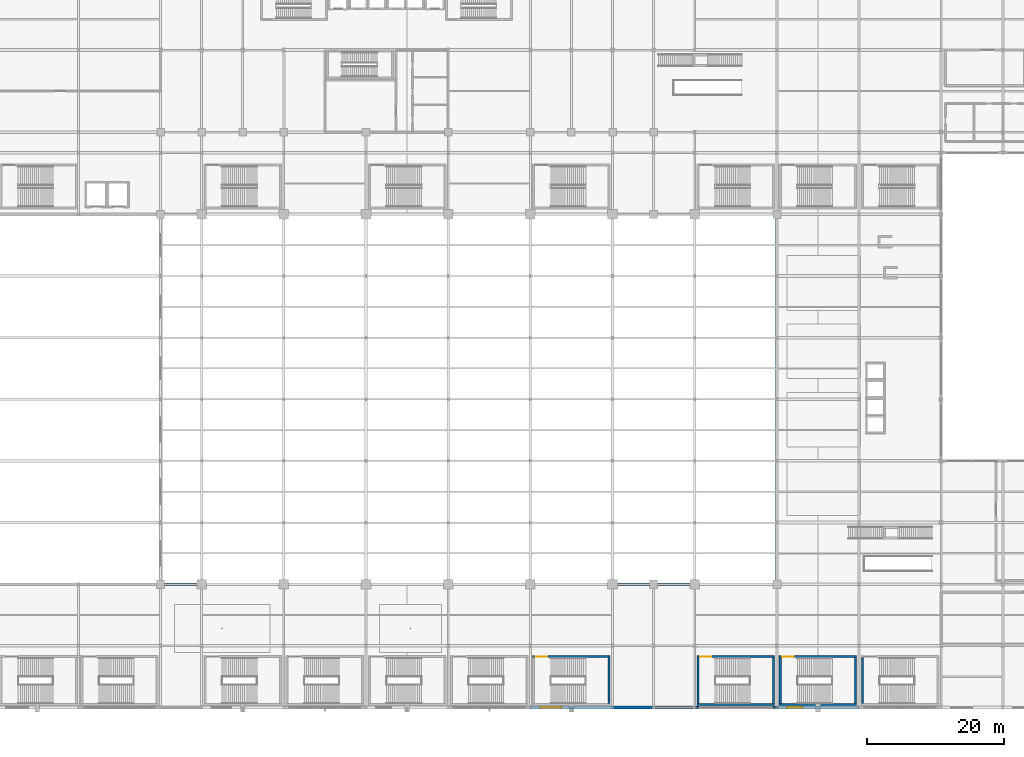
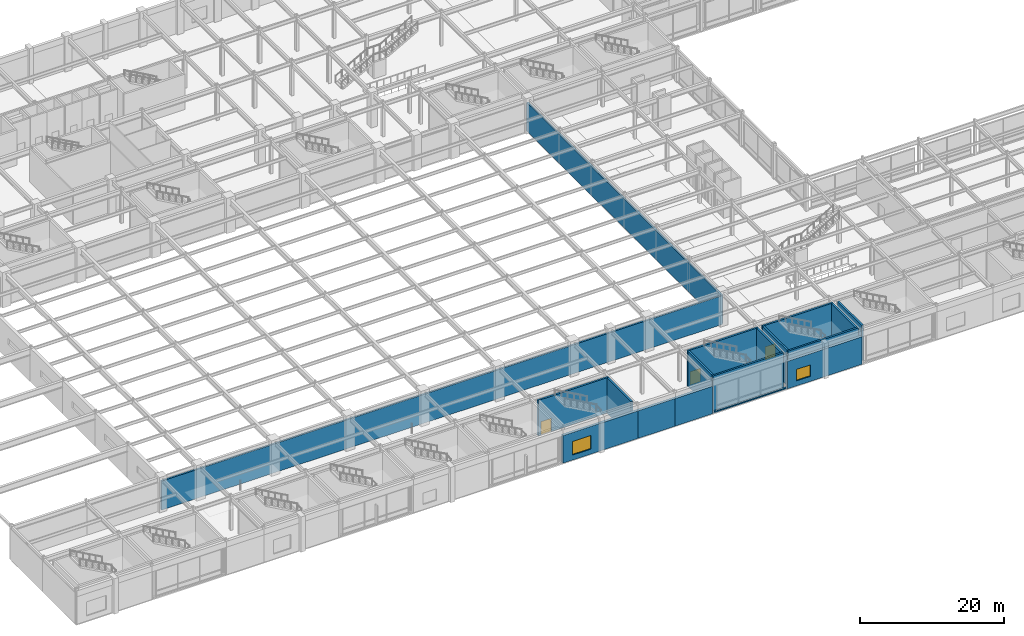
# One storey, part 84 of 105: 18 walls, 3 doors, 2 windows, 5 openings.
"""IFC4 building model written with IfcOpenShell, lengths in metres."""

from ifc_helpers import new_model, si_unit, direction, frame, frame_2d, origin, place, context, subcontext, project, spatial, rectangle, extrude, material, layer, layer_set, type_object, element, fill, save


model = new_model("IFC4")

# Units and contexts
model_context = context("Model", 3, precision=1e-05, world=origin(), true_north=direction((0.0, 1.0)))
body_context = subcontext(model_context, "Body", "Model", "MODEL_VIEW")
ifc_project = project(units=[si_unit("LENGTHUNIT", "METRE"), si_unit("AREAUNIT", "SQUARE_METRE"), si_unit("VOLUMEUNIT", "CUBIC_METRE"), si_unit("PLANEANGLEUNIT", "RADIAN"), si_unit("MASSUNIT", "GRAM", prefix="KILO")], contexts=[model_context])

# Site, building, storey
site_placement = place(None, origin())
site = spatial("IfcSite", under=ifc_project, at=site_placement, CompositionType="ELEMENT")
building_placement = place(site_placement, origin())
building = spatial("IfcBuilding", under=site, at=building_placement, Name="Kaldorvane Square Convention Centre", CompositionType="ELEMENT")
storey_placement = place(building_placement, frame((0.0, 0.0, 6.0)))
storey = spatial("IfcBuildingStorey", under=building, at=storey_placement, Name="L01", CompositionType="ELEMENT", Elevation=6.0)

# Walls
ifc_material_1 = material(Name="Reinforced Concrete Masonry Acoustic Partition", Category="masonry")
ifc_layer_1 = layer(ifc_material_1, 0.279998779296875)
ifc_layer_set_1 = layer_set([ifc_layer_1], Name="Reinforced Concrete Masonry Acoustic Partition")
wall_type_1 = type_object("IfcWallType", Name="WL-ACO-280", PredefinedType="PARTITIONING", material=ifc_layer_set_1)
wall_1_placement = place(storey_placement, frame((24.0, 18.0, 0.0), z_axis=(0.0, 0.0, 1.0), x_axis=(1.0, 0.0, 0.0)))
element("IfcWall", 1, at=wall_1_placement, inside=storey, type_object=wall_type_1, Name="Exhibition Hall Upper Enclosure S (L01)", PredefinedType="PARTITIONING", context=body_context, shape_type="SweptSolid", body=[
    extrude(rectangle(XDim=90.0, YDim=0.279998779296875, at=frame_2d((45.0, 0.0))), origin(), (0.0, 0.0, 1.0), 4.9019927978515625),
])
wall_2_placement = place(storey_placement, frame((114.0, 18.0, 0.0), z_axis=(0.0, 0.0, 1.0), x_axis=(0.0, 1.0, 0.0)))
element("IfcWall", 2, at=wall_2_placement, inside=storey, type_object=wall_type_1, Name="Exhibition Hall Upper Enclosure E (L01)", PredefinedType="PARTITIONING", context=body_context, shape_type="SweptSolid", body=[
    extrude(rectangle(XDim=54.0, YDim=0.279998779296875, at=frame_2d((27.0, 0.0))), origin(), (0.0, 0.0, 1.0), 4.912994384765625),
])

# Wall, opening, window
ifc_material_2 = material(Name="Concrete f'c = 42 MPa (Normalweight)", Category="concrete")
ifc_layer_2 = layer(ifc_material_2, 0.410003662109375)
ifc_layer_set_2 = layer_set([ifc_layer_2], Name="Concrete f'c = 42 MPa (Normalweight)")
wall_type_2 = type_object("IfcWallType", Name="WL-EXT-410", PredefinedType="STANDARD", material=ifc_layer_set_2)
wall_3_placement = place(storey_placement, frame((78.0, 0.0, 0.0), z_axis=(0.0, 0.0, 1.0), x_axis=(1.0, 0.0, 0.0)))
wall_3 = element("IfcWall", 3, at=wall_3_placement, inside=storey, type_object=wall_type_2, Name="South Square Brutalist Facade Wall (L01)", PredefinedType="STANDARD", context=body_context, shape_type="SweptSolid", body=[
    extrude(rectangle(XDim=12.0, YDim=0.410003662109375, at=frame_2d((6.0, 0.0))), origin(), (0.0, 0.0, 1.0), 4.675994873046875),
])
opening_1_placement = place(wall_3_placement, frame((1.5, 0.0, 0.850006103515625)))
opening_1 = element("IfcOpeningElement", 4, at=opening_1_placement, cuts=wall_3, Name="Opening W-16", PredefinedType="OPENING", context=body_context, shape_type="SweptSolid", body=[
    extrude(rectangle(XDim=3.0, YDim=2.3000030517578125, at=frame_2d((1.5, 1.149993896484375))), frame((0.0, 0.220001220703125, 0.0), z_axis=(0.0, -1.0, 0.0), x_axis=(1.0, 0.0, 0.0)), (0.0, 0.0, 1.0), 0.44000244140625),
])
ifc_material_3 = material(Name="Anodized Aluminum and Low-E Insulated Glazing", Category="aluminium")
window_type_1 = type_object("IfcWindowType", Name="WN-POD-3000X2300", PartitioningType="TRIPLE_PANEL_VERTICAL", PredefinedType="WINDOW", material=ifc_material_3)
window_1_placement = place(opening_1_placement, origin())
window_1 = element("IfcWindow", 5, at=window_1_placement, inside=storey, type_object=window_type_1, Name="South Facade Window (L01)", OverallHeight=2.3000030517578125, OverallWidth=3.0, PartitioningType="TRIPLE_PANEL_VERTICAL", PredefinedType="WINDOW", context=body_context, shape_type="SweptSolid", body=[
    extrude(rectangle(XDim=3.0, YDim=2.3000030517578125, at=frame_2d((1.5, 1.149993896484375))), frame((0.0, 0.029998779296875, 0.0), z_axis=(0.0, -1.0, 0.0), x_axis=(1.0, 0.0, 0.0)), (0.0, 0.0, 1.0), 0.05999755859375),
])
fill(opening_1, window_1)

# Walls
for number, where, z_axis, x_axis, name in (
    (6, (90.0, 0.0, 0.0), (0.0, 0.0, 1.0), (1.0, 0.0, 0.0), "South Square Brutalist Facade Wall (L01)"),
    (7, (96.0, 0.0, 0.0), (0.0, 0.0, 1.0), (1.0, 0.0, 0.0), "South Square Brutalist Facade Wall (L01)"),
):
    element("IfcWall", number, at=place(storey_placement, frame(where, z_axis=z_axis, x_axis=x_axis)), inside=storey, type_object=wall_type_2, Name=name, PredefinedType="STANDARD", context=body_context, shape_type="SweptSolid", body=[
        extrude(rectangle(XDim=6.0, YDim=0.410003662109375, at=frame_2d((3.0, 0.0))), origin(), (0.0, 0.0, 1.0), 4.675994873046875),
    ])

# Wall, opening, window
wall_4_placement = place(storey_placement, frame((114.0, 0.0, 0.0), z_axis=(0.0, 0.0, 1.0), x_axis=(1.0, 0.0, 0.0)))
wall_4 = element("IfcWall", 8, at=wall_4_placement, inside=storey, type_object=wall_type_2, Name="South Square Brutalist Facade Wall (L01)", PredefinedType="STANDARD", context=body_context, shape_type="SweptSolid", body=[
    extrude(rectangle(XDim=12.0, YDim=0.410003662109375, at=frame_2d((6.0, 0.0))), origin(), (0.0, 0.0, 1.0), 4.675994873046875),
])
opening_2_placement = place(wall_4_placement, frame((1.5, 0.0, 0.850006103515625)))
opening_2 = element("IfcOpeningElement", 9, at=opening_2_placement, cuts=wall_4, Name="Opening W-20", PredefinedType="OPENING", context=body_context, shape_type="SweptSolid", body=[
    extrude(rectangle(XDim=2.1999969482421875, YDim=1.9499969482421875, at=frame_2d((1.100006103515625, 0.975006103515625))), frame((0.0, 0.220001220703125, 0.0), z_axis=(0.0, -1.0, 0.0), x_axis=(1.0, 0.0, 0.0)), (0.0, 0.0, 1.0), 0.44000244140625),
])
window_type_2 = type_object("IfcWindowType", Name="WN-POD-2200X1950", PartitioningType="DOUBLE_PANEL_VERTICAL", PredefinedType="WINDOW", material=ifc_material_3)
window_2_placement = place(opening_2_placement, origin())
window_2 = element("IfcWindow", 10, at=window_2_placement, inside=storey, type_object=window_type_2, Name="South Facade Window (L01)", OverallHeight=1.9499969482421875, OverallWidth=2.1999969482421875, PartitioningType="DOUBLE_PANEL_VERTICAL", PredefinedType="WINDOW", context=body_context, shape_type="SweptSolid", body=[
    extrude(rectangle(XDim=2.1999969482421875, YDim=1.9499969482421875, at=frame_2d((1.100006103515625, 0.975006103515625))), frame((0.0, 0.029998779296875, 0.0), z_axis=(0.0, -1.0, 0.0), x_axis=(1.0, 0.0, 0.0)), (0.0, 0.0, 1.0), 0.05999755859375),
])
fill(opening_2, window_2)

# Wall
ifc_material_4 = material(Name="Concrete f'c = 35 MPa (Normalweight)", Category="concrete")
ifc_layer_3 = layer(ifc_material_4, 0.279998779296875)
ifc_layer_set_3 = layer_set([ifc_layer_3], Name="Concrete f'c = 35 MPa (Normalweight)")
wall_type_3 = type_object("IfcWallType", Name="WL-PAR-280", PredefinedType="PARAPET", material=ifc_layer_set_3)
wall_5_placement = place(storey_placement, frame((102.0, 0.0, 0.0), z_axis=(0.0, 0.0, 1.0), x_axis=(1.0, 0.0, 0.0)))
element("IfcWall", 11, at=wall_5_placement, inside=storey, type_object=wall_type_3, Name="Curtain-Wall Sill Kerb (L01)", PredefinedType="PARAPET", context=body_context, shape_type="SweptSolid", body=[
    extrude(rectangle(XDim=12.0, YDim=0.279998779296875, at=frame_2d((6.0, 0.0))), origin(), (0.0, 0.0, 1.0), 0.1999969482421875),
])

# Wall, opening, door
ifc_material_5 = material(Name="Concrete f'c = 55 MPa (Normalweight)", Category="concrete")
ifc_layer_4 = layer(ifc_material_5, 0.3000030517578125)
ifc_layer_set_4 = layer_set([ifc_layer_4], Name="Concrete f'c = 55 MPa (Normalweight)")
wall_type_4 = type_object("IfcWallType", Name="WL-SHAFT-300", PredefinedType="SHEAR", material=ifc_layer_set_4)
wall_6_placement = place(storey_placement, frame((89.66000366210938, 7.410003662109375, 0.0), z_axis=(0.0, 0.0, 1.0), x_axis=(-1.0, 0.0, 0.0)))
wall_6 = element("IfcWall", 12, at=wall_6_placement, inside=storey, type_object=wall_type_4, Name="Core Enclosure Wall stair:ST-C7-N (L01)", PredefinedType="SHEAR", context=body_context, shape_type="SweptSolid", body=[
    extrude(rectangle(XDim=11.32000732421875, YDim=0.3000030517578125, at=frame_2d((5.660003662109375, 0.0))), origin(), (0.0, 0.0, 1.0), 6.0),
])
opening_3_placement = place(wall_6_placement, frame((9.220001220703125, 0.0, 0.0)))
opening_3 = element("IfcOpeningElement", 13, at=opening_3_placement, cuts=wall_6, Name="Opening FD90-S2", PredefinedType="OPENING", context=body_context, shape_type="SweptSolid", body=[
    extrude(rectangle(XDim=1.649993896484375, YDim=2.25, at=frame_2d((0.8249969482421875, 1.125))), frame((0.0, 0.165008544921875, 0.0), z_axis=(0.0, -1.0, 0.0), x_axis=(1.0, 0.0, 0.0)), (0.0, 0.0, 1.0), 0.3300018310546875),
])
ifc_material_6 = material(Name="Fire-Rated Hollow Metal Steel", Category="steel")
door_type = type_object("IfcDoorType", Name="DR-STAIR-1650", OperationType="DOUBLE_DOOR_SINGLE_SWING", PredefinedType="DOOR", material=ifc_material_6)
door_1_placement = place(opening_3_placement, origin())
door_1 = element("IfcDoor", 14, at=door_1_placement, inside=storey, type_object=door_type, Name="Convention Exit Stair C7 Fire Door (L01)", OperationType="DOUBLE_DOOR_SINGLE_SWING", OverallHeight=2.25, OverallWidth=1.649993896484375, PredefinedType="DOOR", context=body_context, shape_type="SweptSolid", body=[
    extrude(rectangle(XDim=1.649993896484375, YDim=2.25, at=frame_2d((0.8249969482421875, 1.125))), frame((0.0, 0.024993896484375, 0.0), z_axis=(0.0, -1.0, 0.0), x_axis=(1.0, 0.0, 0.0)), (0.0, 0.0, 1.0), 0.0500030517578125),
])
fill(opening_3, door_1)

# Walls
wall_7_placement = place(storey_placement, frame((89.50999450683594, 0.5500030517578125, 0.0), z_axis=(0.0, 0.0, 1.0), x_axis=(0.0, 1.0, 0.0)))
element("IfcWall", 15, at=wall_7_placement, inside=storey, type_object=wall_type_4, Name="Core Enclosure Wall stair:ST-C7-E (L01)", PredefinedType="SHEAR", context=body_context, shape_type="SweptSolid", body=[
    extrude(rectangle(XDim=6.709991455078125, YDim=0.3000030517578125, at=frame_2d((3.3549957275390625, 0.0))), origin(), (0.0, 0.0, 1.0), 6.0),
])
wall_8_placement = place(storey_placement, frame((113.66000366210938, 0.399993896484375, 0.0), z_axis=(0.0, 0.0, 1.0), x_axis=(-1.0, 0.0, 0.0)))
element("IfcWall", 16, at=wall_8_placement, inside=storey, type_object=wall_type_4, Name="Core Enclosure Wall stair:ST-C8-S (L01)", PredefinedType="SHEAR", context=body_context, shape_type="SweptSolid", body=[
    extrude(rectangle(XDim=11.32000732421875, YDim=0.3000030517578125, at=frame_2d((5.660003662109375, 0.0))), origin(), (0.0, 0.0, 1.0), 6.0),
])

# Wall, opening, door
wall_9_placement = place(storey_placement, frame((113.66000366210938, 7.410003662109375, 0.0), z_axis=(0.0, 0.0, 1.0), x_axis=(-1.0, 0.0, 0.0)))
wall_9 = element("IfcWall", 17, at=wall_9_placement, inside=storey, type_object=wall_type_4, Name="Core Enclosure Wall stair:ST-C8-N (L01)", PredefinedType="SHEAR", context=body_context, shape_type="SweptSolid", body=[
    extrude(rectangle(XDim=11.32000732421875, YDim=0.3000030517578125, at=frame_2d((5.660003662109375, 0.0))), origin(), (0.0, 0.0, 1.0), 6.0),
])
opening_4_placement = place(wall_9_placement, frame((9.220001220703125, 0.0, 0.0)))
opening_4 = element("IfcOpeningElement", 18, at=opening_4_placement, cuts=wall_9, Name="Opening FD90-S2", PredefinedType="OPENING", context=body_context, shape_type="SweptSolid", body=[
    extrude(rectangle(XDim=1.649993896484375, YDim=2.25, at=frame_2d((0.8249969482421875, 1.125))), frame((0.0, 0.165008544921875, 0.0), z_axis=(0.0, -1.0, 0.0), x_axis=(1.0, 0.0, 0.0)), (0.0, 0.0, 1.0), 0.3300018310546875),
])
door_2_placement = place(opening_4_placement, origin())
door_2 = element("IfcDoor", 19, at=door_2_placement, inside=storey, type_object=door_type, Name="Convention Exit Stair C8 Fire Door (L01)", OperationType="DOUBLE_DOOR_SINGLE_SWING", OverallHeight=2.25, OverallWidth=1.649993896484375, PredefinedType="DOOR", context=body_context, shape_type="SweptSolid", body=[
    extrude(rectangle(XDim=1.649993896484375, YDim=2.25, at=frame_2d((0.8249969482421875, 1.125))), frame((0.0, 0.024993896484375, 0.0), z_axis=(0.0, -1.0, 0.0), x_axis=(1.0, 0.0, 0.0)), (0.0, 0.0, 1.0), 0.0500030517578125),
])
fill(opening_4, door_2)

# Walls
for number, where, z_axis, x_axis, name in (
    (20, (102.49000549316406, 7.2599945068359375, 0.0), (0.0, 0.0, 1.0), (0.0, -1.0, 0.0), "Core Enclosure Wall stair:ST-C8-W (L01)"),
    (21, (113.50999450683594, 0.5500030517578125, 0.0), (0.0, 0.0, 1.0), (0.0, 1.0, 0.0), "Core Enclosure Wall stair:ST-C8-E (L01)"),
):
    element("IfcWall", number, at=place(storey_placement, frame(where, z_axis=z_axis, x_axis=x_axis)), inside=storey, type_object=wall_type_4, Name=name, PredefinedType="SHEAR", context=body_context, shape_type="SweptSolid", body=[
        extrude(rectangle(XDim=6.709991455078125, YDim=0.3000030517578125, at=frame_2d((3.3549957275390625, 0.0))), origin(), (0.0, 0.0, 1.0), 6.0),
    ])
wall_10_placement = place(storey_placement, frame((125.66000366210938, 0.399993896484375, 0.0), z_axis=(0.0, 0.0, 1.0), x_axis=(-1.0, 0.0, 0.0)))
element("IfcWall", 22, at=wall_10_placement, inside=storey, type_object=wall_type_4, Name="Core Enclosure Wall stair:ST-C9-S (L01)", PredefinedType="SHEAR", context=body_context, shape_type="SweptSolid", body=[
    extrude(rectangle(XDim=11.32000732421875, YDim=0.3000030517578125, at=frame_2d((5.660003662109375, 0.0))), origin(), (0.0, 0.0, 1.0), 6.0),
])

# Wall, opening, door
wall_11_placement = place(storey_placement, frame((125.66000366210938, 7.410003662109375, 0.0), z_axis=(0.0, 0.0, 1.0), x_axis=(-1.0, 0.0, 0.0)))
wall_11 = element("IfcWall", 23, at=wall_11_placement, inside=storey, type_object=wall_type_4, Name="Core Enclosure Wall stair:ST-C9-N (L01)", PredefinedType="SHEAR", context=body_context, shape_type="SweptSolid", body=[
    extrude(rectangle(XDim=11.32000732421875, YDim=0.3000030517578125, at=frame_2d((5.660003662109375, 0.0))), origin(), (0.0, 0.0, 1.0), 6.0),
])
opening_5_placement = place(wall_11_placement, frame((9.220001220703125, 0.0, 0.0)))
opening_5 = element("IfcOpeningElement", 24, at=opening_5_placement, cuts=wall_11, Name="Opening FD90-S2", PredefinedType="OPENING", context=body_context, shape_type="SweptSolid", body=[
    extrude(rectangle(XDim=1.649993896484375, YDim=2.25, at=frame_2d((0.8249969482421875, 1.125))), frame((0.0, 0.165008544921875, 0.0), z_axis=(0.0, -1.0, 0.0), x_axis=(1.0, 0.0, 0.0)), (0.0, 0.0, 1.0), 0.3300018310546875),
])
door_3_placement = place(opening_5_placement, origin())
door_3 = element("IfcDoor", 25, at=door_3_placement, inside=storey, type_object=door_type, Name="Convention Exit Stair C9 Fire Door (L01)", OperationType="DOUBLE_DOOR_SINGLE_SWING", OverallHeight=2.25, OverallWidth=1.649993896484375, PredefinedType="DOOR", context=body_context, shape_type="SweptSolid", body=[
    extrude(rectangle(XDim=1.649993896484375, YDim=2.25, at=frame_2d((0.8249969482421875, 1.125))), frame((0.0, 0.024993896484375, 0.0), z_axis=(0.0, -1.0, 0.0), x_axis=(1.0, 0.0, 0.0)), (0.0, 0.0, 1.0), 0.0500030517578125),
])
fill(opening_5, door_3)

# Walls
for number, where, z_axis, x_axis, name in (
    (26, (114.49000549316406, 7.2599945068359375, 0.0), (0.0, 0.0, 1.0), (0.0, -1.0, 0.0), "Core Enclosure Wall stair:ST-C9-W (L01)"),
    (27, (125.50999450683594, 0.5500030517578125, 0.0), (0.0, 0.0, 1.0), (0.0, 1.0, 0.0), "Core Enclosure Wall stair:ST-C9-E (L01)"),
    (28, (126.49000549316406, 7.2599945068359375, 0.0), (0.0, 0.0, 1.0), (0.0, -1.0, 0.0), "Core Enclosure Wall stair:ST-C10-W (L01)"),
):
    element("IfcWall", number, at=place(storey_placement, frame(where, z_axis=z_axis, x_axis=x_axis)), inside=storey, type_object=wall_type_4, Name=name, PredefinedType="SHEAR", context=body_context, shape_type="SweptSolid", body=[
        extrude(rectangle(XDim=6.709991455078125, YDim=0.3000030517578125, at=frame_2d((3.3549957275390625, 0.0))), origin(), (0.0, 0.0, 1.0), 6.0),
    ])

save(model, "model.ifc")
